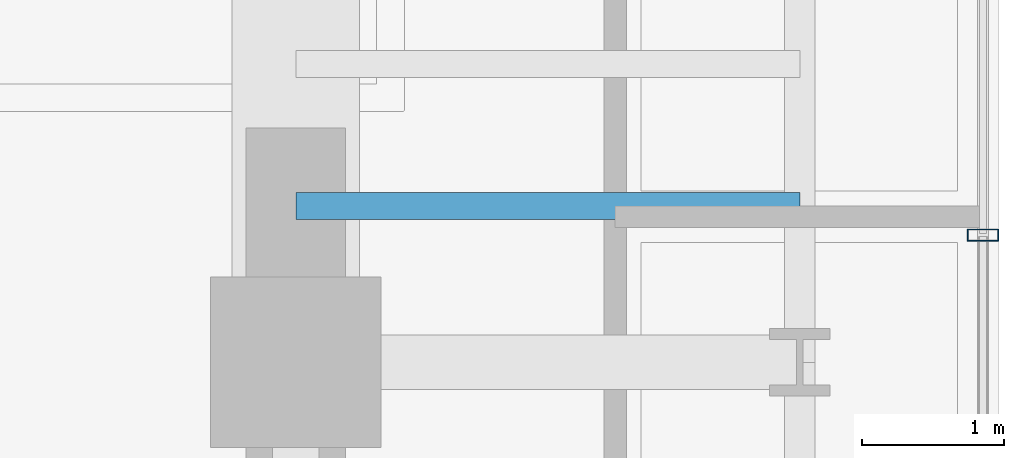
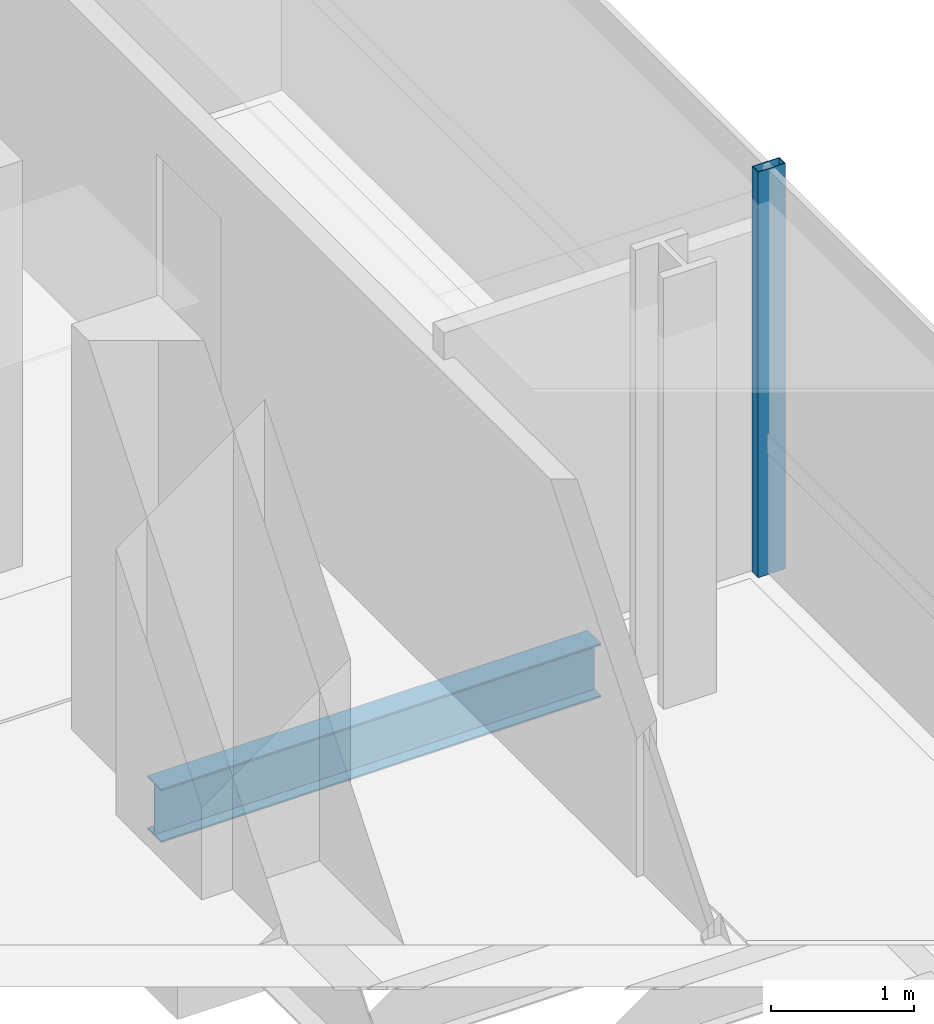
# One storey, part 14 of 37: 1 beam, 1 member, 1 element without a shape of its own.
"""IFC4 building model written with IfcOpenShell, lengths in metres."""

from ifc_helpers import new_model, si_unit, direction, frame, origin, origin_2d, place, context, subcontext, project, spatial, hollow_rectangle, i_section, extrude, source, transform, mapped, material, material_profile, profile_set, type_object, element, aggregate, save


model = new_model("IFC4")

# Units and contexts
model_context = context("Model", 3, precision=1e-05, world=origin(), true_north=direction((0.0, 1.0)))
body_context = subcontext(model_context, "Body", "Model", "MODEL_VIEW")
ifc_project = project(units=[si_unit("LENGTHUNIT", "METRE"), si_unit("AREAUNIT", "SQUARE_METRE"), si_unit("VOLUMEUNIT", "CUBIC_METRE"), si_unit("PLANEANGLEUNIT", "RADIAN"), si_unit("MASSUNIT", "GRAM", prefix="KILO")], contexts=[model_context])

# Site, building, storey
site_placement = place(None, origin())
site = spatial("IfcSite", under=ifc_project, at=site_placement, CompositionType="ELEMENT")
building_placement = place(site_placement, origin())
building = spatial("IfcBuilding", under=site, at=building_placement, Name="Valdorenza Pilgrim Sanctuary Tower", CompositionType="ELEMENT")
storey_placement = place(building_placement, frame((0.0, 0.0, 135.300048828125)))
storey = spatial("IfcBuildingStorey", under=building, at=storey_placement, Name="L34", CompositionType="ELEMENT", Elevation=135.300048828125)

# Beam
ifc_material_1 = material(Name="Steel ASTM A992 Grade 50", Category="steel")
ifc_material_profile_1 = material_profile(ifc_material_1, i_section(OverallWidth=0.19091796875, OverallDepth=0.45703125, WebThickness=0.009033203125, FlangeThickness=0.014404296875, at=origin_2d()), Name="W18X50")
ifc_profile_set_1 = profile_set([ifc_material_profile_1], Name="Steel ASTM A992 Grade 50")
beam_type = type_object("IfcBeamType", Name="STR-BM-JST-W18B", PredefinedType="JOIST", material=ifc_profile_set_1)
shared_shape_1 = source(origin(), body_context, "Body", "SweptSolid", [
    extrude(i_section(OverallWidth=0.19091796875, OverallDepth=0.45703125, WebThickness=0.009033203125, FlangeThickness=0.014404296875, at=origin_2d()), origin(), (0.0, 0.0, 1.0), 3.5498046875),
])
beam_placement = place(storey_placement, frame((24.85009765625, -1.5, -0.468505859375), z_axis=(1.0, 0.0, 0.0), x_axis=(0.0, 1.0, 0.0)))
element("IfcBeam", 1, at=beam_placement, inside=storey, type_object=beam_type, Name="L34 Composite Floor Joist JST-WB-8", PredefinedType="JOIST", context=body_context, shape_type="MappedRepresentation", body=[
    mapped(shared_shape_1, transform((0.0, 0.0, 0.0), x_axis=(1.0, 0.0, 0.0), y_axis=(0.0, 1.0, 0.0), z_axis=(0.0, 0.0, 1.0), scale=1.0)),
])

# Curtain wall, member
ifc_material_2 = material(Name="Curtain-wall IGU glazing", Category="glass")
curtain_wall_type = type_object("IfcCurtainWallType", Name="CW-SYS-03", PredefinedType="NOTDEFINED", material=ifc_material_2)
curtain_wall_placement = place(storey_placement, origin())
curtain_wall = element("IfcCurtainWall", 2, at=curtain_wall_placement, inside=storey, type_object=curtain_wall_type, Name="L34 Curtain Wall CW-L34-1-21", PredefinedType="NOTDEFINED")
ifc_material_3 = material(Name="Anodised aluminium AW-6060", Category="aluminium")
ifc_material_profile_2 = material_profile(ifc_material_3, hollow_rectangle(XDim=0.0849609375, YDim=0.219970703125, WallThickness=0.0048828125, at=origin_2d()), Name="ALU-M 220x85x5")
ifc_profile_set_2 = profile_set([ifc_material_profile_2], Name="Anodised aluminium AW-6060")
member_type = type_object("IfcMemberType", Name="CW-MUL-03", PredefinedType="MULLION", material=ifc_profile_set_2)
shared_shape_2 = source(origin(), body_context, "Body", "SweptSolid", [
    extrude(hollow_rectangle(XDim=0.0849609375, YDim=0.219970703125, WallThickness=0.0048828125, at=origin_2d()), origin(), (0.0, 0.0, 1.0), 3.4599609375),
])
member_placement = place(storey_placement, frame((29.68994140625, -1.7041015625, 0.0), z_axis=(0.0, 0.0, 1.0), x_axis=(0.0, -1.0, 0.0)))
member = element("IfcMember", 3, at=member_placement, type_object=member_type, Name="CW-L34-1-21 Mullion 3", PredefinedType="MULLION", context=body_context, shape_type="MappedRepresentation", body=[
    mapped(shared_shape_2, transform((0.0, 0.0, 0.0), x_axis=(1.0, 0.0, 0.0), y_axis=(0.0, 1.0, 0.0), z_axis=(0.0, 0.0, 1.0), scale=1.0)),
])
aggregate(curtain_wall, [member])

save(model, "model.ifc")
